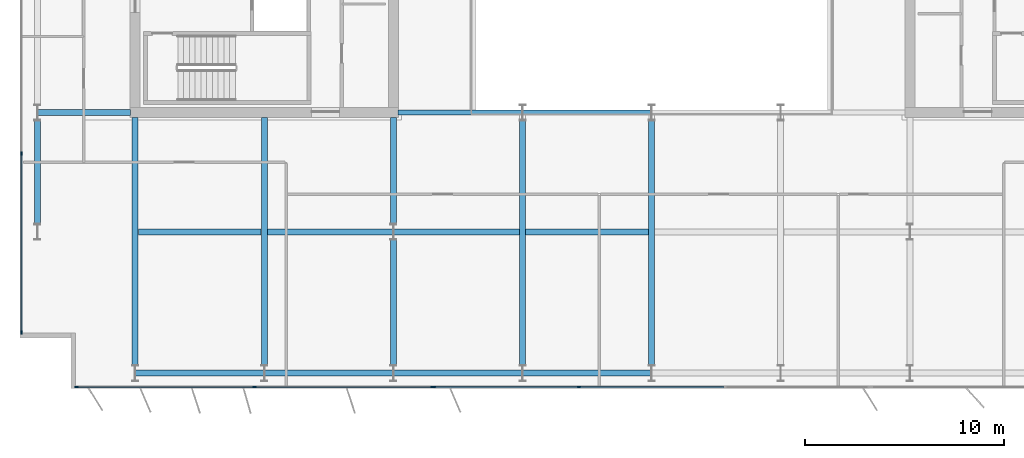
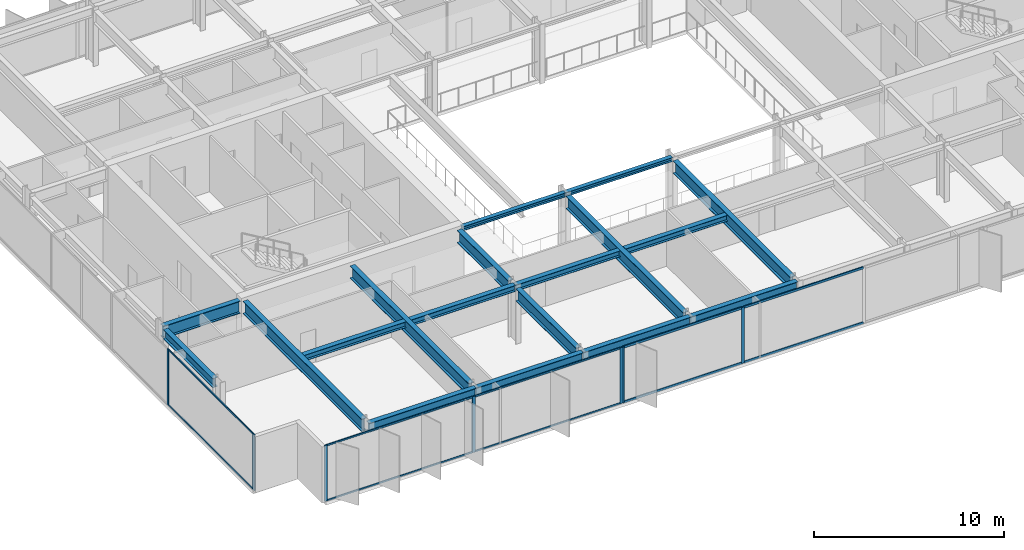
# One storey, part 3 of 19: 18 beams, 17 members, 3 elements without a shape of their own.
"""IFC4 building model written with IfcOpenShell, lengths in metres."""

from ifc_helpers import new_model, si_unit, direction, frame, origin, origin_2d, place, context, subcontext, project, spatial, rectangle, i_section, extrude, material, layer, layer_set, material_profile, profile_set, type_object, element, aggregate, save


model = new_model("IFC4")

# Units and contexts
model_context = context("Model", 3, precision=1e-05, world=origin(), true_north=direction((0.0, 1.0)))
body_context = subcontext(model_context, "Body", "Model", "MODEL_VIEW")
ifc_project = project(units=[si_unit("LENGTHUNIT", "METRE"), si_unit("AREAUNIT", "SQUARE_METRE"), si_unit("VOLUMEUNIT", "CUBIC_METRE"), si_unit("PLANEANGLEUNIT", "RADIAN"), si_unit("MASSUNIT", "GRAM", prefix="KILO")], contexts=[model_context])

# Site, building, storey
site_placement = place(None, origin())
site = spatial("IfcSite", under=ifc_project, at=site_placement, CompositionType="ELEMENT")
building_placement = place(site_placement, origin())
building = spatial("IfcBuilding", under=site, at=building_placement, Name="Putna Gate Headquarters", CompositionType="ELEMENT")
storey_placement = place(building_placement, frame((0.0, 0.0, 255.60009765625)))
storey = spatial("IfcBuildingStorey", under=building, at=storey_placement, Name="L64", CompositionType="ELEMENT", Elevation=255.60009765625)

# Beams
ifc_material_1 = material(Name="Steel S355J2", Category="steel")
ifc_material_profile_1 = material_profile(ifc_material_1, i_section(OverallWidth=0.260009765625, OverallDepth=0.260009765625, WebThickness=0.010009765625, FlangeThickness=0.017578125, at=origin_2d()), Name="Steel S355J2")
ifc_profile_set_1 = profile_set([ifc_material_profile_1], Name="Steel S355J2")
beam_type_1 = type_object("IfcBeamType", Name="BM-ATRIUM-HEB260", PredefinedType="BEAM", material=ifc_profile_set_1)
beam_1_placement = place(storey_placement, frame((26.235107421875, 19.0, 3.4580078125), z_axis=(1.0, 0.0, 0.0), x_axis=(0.0, 1.0, 0.0)))
element("IfcBeam", 1, at=beam_1_placement, inside=storey, type_object=beam_type_1, Name="L64 Atrium Edge Beam AS1", PredefinedType="BEAM", context=body_context, shape_type="SweptSolid", body=[
    extrude(i_section(OverallWidth=0.260009765625, OverallDepth=0.260009765625, WebThickness=0.010009765625, FlangeThickness=0.017578125, at=origin_2d()), origin(), (0.0, 0.0, 1.0), 6.2587890625),
])
beam_2_placement = place(storey_placement, frame((32.506103515625, 19.0, 3.4580078125), z_axis=(1.0, 0.0, 0.0), x_axis=(0.0, 1.0, 0.0)))
element("IfcBeam", 2, at=beam_2_placement, inside=storey, type_object=beam_type_1, Name="L64 Atrium Edge Beam AS2", PredefinedType="BEAM", context=body_context, shape_type="SweptSolid", body=[
    extrude(i_section(OverallWidth=0.260009765625, OverallDepth=0.260009765625, WebThickness=0.010009765625, FlangeThickness=0.017578125, at=origin_2d()), origin(), (0.0, 0.0, 1.0), 6.48779296875),
])
ifc_material_profile_2 = material_profile(ifc_material_1, i_section(OverallWidth=0.300048828125, OverallDepth=0.800048828125, WebThickness=0.017578125, FlangeThickness=0.032958984375, at=origin_2d()), Name="Steel S355J2")
ifc_profile_set_2 = profile_set([ifc_material_profile_2], Name="Steel S355J2")
beam_type_2 = type_object("IfcBeamType", Name="BM-GIRD-P-HEB800", PredefinedType="USERDEFINED", material=ifc_profile_set_2)
beam_3_placement = place(storey_placement, frame((8.0859375, 19.0, 3.18798828125), z_axis=(1.0, 0.0, 0.0), x_axis=(0.0, 1.0, 0.0)))
element("IfcBeam", 3, at=beam_3_placement, inside=storey, type_object=beam_type_2, Name="L64 West Wing Girder Y19", ObjectType="GIRDER", PredefinedType="USERDEFINED", context=body_context, shape_type="SweptSolid", body=[
    extrude(i_section(OverallWidth=0.300048828125, OverallDepth=0.800048828125, WebThickness=0.017578125, FlangeThickness=0.032958984375, at=origin_2d()), origin(), (0.0, 0.0, 1.0), 4.678955078125),
])
for number, where, z_axis, x_axis, name in (
    (4, (13.0, 6.27490234375, 3.18798828125), (0.0, 1.0, 0.0), (-1.0, 0.0, 0.0), "L64 South Primary Girder X13"),
    (5, (19.5, 6.27490234375, 3.18798828125), (0.0, 1.0, 0.0), (-1.0, 0.0, 0.0), "L64 South Primary Girder X19"),
):
    element("IfcBeam", number, at=place(storey_placement, frame(where, z_axis=z_axis, x_axis=x_axis)), inside=storey, type_object=beam_type_2, Name=name, ObjectType="GIRDER", PredefinedType="USERDEFINED", context=body_context, shape_type="SweptSolid", body=[
        extrude(i_section(OverallWidth=0.300048828125, OverallDepth=0.800048828125, WebThickness=0.017578125, FlangeThickness=0.032958984375, at=origin_2d()), origin(), (0.0, 0.0, 1.0), 12.489990234375),
    ])
beam_4_placement = place(storey_placement, frame((26.0, 6.27490234375, 3.18798828125), z_axis=(0.0, 1.0, 0.0), x_axis=(-1.0, 0.0, 0.0)))
element("IfcBeam", 6, at=beam_4_placement, inside=storey, type_object=beam_type_2, Name="L64 South Primary Girder X26-1", ObjectType="GIRDER", PredefinedType="USERDEFINED", context=body_context, shape_type="SweptSolid", body=[
    extrude(i_section(OverallWidth=0.300048828125, OverallDepth=0.800048828125, WebThickness=0.017578125, FlangeThickness=0.032958984375, at=origin_2d()), origin(), (0.0, 0.0, 1.0), 6.330078125),
])
beam_5_placement = place(storey_placement, frame((26.0, 13.39501953125, 3.18798828125), z_axis=(0.0, 1.0, 0.0), x_axis=(-1.0, 0.0, 0.0)))
element("IfcBeam", 7, at=beam_5_placement, inside=storey, type_object=beam_type_2, Name="L64 South Primary Girder X26-2", ObjectType="GIRDER", PredefinedType="USERDEFINED", context=body_context, shape_type="SweptSolid", body=[
    extrude(i_section(OverallWidth=0.300048828125, OverallDepth=0.800048828125, WebThickness=0.017578125, FlangeThickness=0.032958984375, at=origin_2d()), origin(), (0.0, 0.0, 1.0), 5.369873046875),
])
for number, where, z_axis, x_axis, name in (
    (8, (32.5, 6.27490234375, 3.18798828125), (0.0, 1.0, 0.0), (-1.0, 0.0, 0.0), "L64 South Primary Girder X32"),
    (9, (39.0, 6.27490234375, 3.18798828125), (0.0, 1.0, 0.0), (-1.0, 0.0, 0.0), "L64 South Primary Girder X39"),
):
    element("IfcBeam", number, at=place(storey_placement, frame(where, z_axis=z_axis, x_axis=x_axis)), inside=storey, type_object=beam_type_2, Name=name, ObjectType="GIRDER", PredefinedType="USERDEFINED", context=body_context, shape_type="SweptSolid", body=[
        extrude(i_section(OverallWidth=0.300048828125, OverallDepth=0.800048828125, WebThickness=0.017578125, FlangeThickness=0.032958984375, at=origin_2d()), origin(), (0.0, 0.0, 1.0), 12.330078125),
    ])
ifc_material_profile_3 = material_profile(ifc_material_1, i_section(OverallWidth=0.300048828125, OverallDepth=0.389892578125, WebThickness=0.010986328125, FlangeThickness=0.01904296875, at=origin_2d()), Name="Steel S355J2")
ifc_profile_set_3 = profile_set([ifc_material_profile_3], Name="Steel S355J2")
beam_type_3 = type_object("IfcBeamType", Name="BM-SEC-Z5-HEA400", PredefinedType="BEAM", material=ifc_profile_set_3)
beam_6_placement = place(storey_placement, frame((13.154052734375, 13.0, 3.392822265625), z_axis=(1.0, 0.0, 0.0), x_axis=(0.0, 1.0, 0.0)))
element("IfcBeam", 10, at=beam_6_placement, inside=storey, type_object=beam_type_3, Name="L64 South Secondary Beam 1", PredefinedType="BEAM", context=body_context, shape_type="SweptSolid", body=[
    extrude(i_section(OverallWidth=0.300048828125, OverallDepth=0.389892578125, WebThickness=0.010986328125, FlangeThickness=0.01904296875, at=origin_2d()), origin(), (0.0, 0.0, 1.0), 6.19189453125),
])
for number, where, z_axis, x_axis, name in (
    (11, (19.654052734375, 13.0, 3.392822265625), (1.0, 0.0, 0.0), (0.0, 1.0, 0.0), "L64 South Secondary Beam 2"),
    (12, (26.006103515625, 13.0, 3.392822265625), (1.0, 0.0, 0.0), (0.0, 1.0, 0.0), "L64 South Secondary Beam 3"),
):
    element("IfcBeam", number, at=place(storey_placement, frame(where, z_axis=z_axis, x_axis=x_axis)), inside=storey, type_object=beam_type_3, Name=name, PredefinedType="BEAM", context=body_context, shape_type="SweptSolid", body=[
        extrude(i_section(OverallWidth=0.300048828125, OverallDepth=0.389892578125, WebThickness=0.010986328125, FlangeThickness=0.01904296875, at=origin_2d()), origin(), (0.0, 0.0, 1.0), 6.33984375),
    ])
beam_7_placement = place(storey_placement, frame((32.654052734375, 13.0, 3.392822265625), z_axis=(1.0, 0.0, 0.0), x_axis=(0.0, 1.0, 0.0)))
element("IfcBeam", 13, at=beam_7_placement, inside=storey, type_object=beam_type_3, Name="L64 South Secondary Beam 4", PredefinedType="BEAM", context=body_context, shape_type="SweptSolid", body=[
    extrude(i_section(OverallWidth=0.300048828125, OverallDepth=0.389892578125, WebThickness=0.010986328125, FlangeThickness=0.01904296875, at=origin_2d()), origin(), (0.0, 0.0, 1.0), 6.19189453125),
])
ifc_material_profile_4 = material_profile(ifc_material_1, i_section(OverallWidth=0.300048828125, OverallDepth=0.590087890625, WebThickness=0.012939453125, FlangeThickness=0.02490234375, at=origin_2d()), Name="Steel S355J2")
ifc_profile_set_4 = profile_set([ifc_material_profile_4], Name="Steel S355J2")
beam_type_4 = type_object("IfcBeamType", Name="BM-SPAN-Z4-HEA600", PredefinedType="SPANDREL", material=ifc_profile_set_4)
for number, where, z_axis, x_axis, name in (
    (14, (13.006103515625, 5.8798828125, 3.29296875), (1.0, 0.0, 0.0), (0.0, 1.0, 0.0), "L64 S Perimeter Spandrel 1"),
    (15, (19.506103515625, 5.8798828125, 3.29296875), (1.0, 0.0, 0.0), (0.0, 1.0, 0.0), "L64 S Perimeter Spandrel 2"),
    (16, (26.006103515625, 5.8798828125, 3.29296875), (1.0, 0.0, 0.0), (0.0, 1.0, 0.0), "L64 S Perimeter Spandrel 3"),
    (17, (32.506103515625, 5.8798828125, 3.29296875), (1.0, 0.0, 0.0), (0.0, 1.0, 0.0), "L64 S Perimeter Spandrel 4"),
):
    element("IfcBeam", number, at=place(storey_placement, frame(where, z_axis=z_axis, x_axis=x_axis)), inside=storey, type_object=beam_type_4, Name=name, PredefinedType="SPANDREL", context=body_context, shape_type="SweptSolid", body=[
        extrude(i_section(OverallWidth=0.300048828125, OverallDepth=0.590087890625, WebThickness=0.012939453125, FlangeThickness=0.02490234375, at=origin_2d()), origin(), (0.0, 0.0, 1.0), 6.48779296875),
    ])
beam_8_placement = place(storey_placement, frame((8.080078125, 13.39501953125, 3.29296875), z_axis=(0.0, 1.0, 0.0), x_axis=(-1.0, 0.0, 0.0)))
element("IfcBeam", 18, at=beam_8_placement, inside=storey, type_object=beam_type_4, Name="L64 W End Spandrel 1", PredefinedType="SPANDREL", context=body_context, shape_type="SweptSolid", body=[
    extrude(i_section(OverallWidth=0.300048828125, OverallDepth=0.590087890625, WebThickness=0.012939453125, FlangeThickness=0.02490234375, at=origin_2d()), origin(), (0.0, 0.0, 1.0), 5.2099609375),
])

# Curtain wall, members
ifc_material_2 = material(Name="Anodised bronze aluminium curtain wall", Category="aluminium")
ifc_layer_1 = layer(ifc_material_2, 0.179931640625)
ifc_layer_set_1 = layer_set([ifc_layer_1], Name="Anodised bronze aluminium curtain wall")
curtain_wall_type_1 = type_object("IfcCurtainWallType", Name="CW-SYS-Z5", PredefinedType="USERDEFINED", material=ifc_layer_set_1)
curtain_wall_1_placement = place(storey_placement, origin())
curtain_wall_1 = element("IfcCurtainWall", 19, at=curtain_wall_1_placement, inside=storey, type_object=curtain_wall_type_1, Name="L64 South West Curtain Wall", ObjectType="STICK CURTAIN WALL", PredefinedType="USERDEFINED")
ifc_material_3 = material(Name="Anodised bronze aluminium EN AW-6060", Category="aluminium")
ifc_material_profile_5 = material_profile(ifc_material_3, rectangle(XDim=0.070068359375, YDim=0.179931640625, at=origin_2d()), Name="Anodised bronze aluminium EN AW-6060")
ifc_profile_set_5 = profile_set([ifc_material_profile_5], Name="Anodised bronze aluminium EN AW-6060")
member_type_1 = type_object("IfcMemberType", Name="MULL-CWM-5", PredefinedType="MULLION", material=ifc_profile_set_5)
member_1_placement = place(storey_placement, frame((10.034912109375, 5.179931640625, 0.0), z_axis=(0.0, 0.0, 1.0), x_axis=(0.0, 1.0, 0.0)))
member_1 = element("IfcMember", 20, at=member_1_placement, type_object=member_type_1, Name="CWS-5 mullion 1", PredefinedType="MULLION", context=body_context, shape_type="SweptSolid", body=[
    extrude(rectangle(XDim=0.070068359375, YDim=0.179931640625, at=origin_2d()), origin(), (0.0, 0.0, 1.0), 3.587890625),
])
member_2_placement = place(storey_placement, frame((19.0, 5.179931640625, 0.0), z_axis=(0.0, 0.0, 1.0), x_axis=(0.0, 1.0, 0.0)))
member_2 = element("IfcMember", 21, at=member_2_placement, type_object=member_type_1, Name="CWS-5 mullion 2", PredefinedType="MULLION", context=body_context, shape_type="SweptSolid", body=[
    extrude(rectangle(XDim=0.070068359375, YDim=0.179931640625, at=origin_2d()), origin(), (0.0, 0.0, 1.0), 3.587890625),
])
member_3_placement = place(storey_placement, frame((27.965087890625, 5.179931640625, 0.0), z_axis=(0.0, 0.0, 1.0), x_axis=(0.0, 1.0, 0.0)))
member_3 = element("IfcMember", 22, at=member_3_placement, type_object=member_type_1, Name="CWS-5 mullion 3", PredefinedType="MULLION", context=body_context, shape_type="SweptSolid", body=[
    extrude(rectangle(XDim=0.070068359375, YDim=0.179931640625, at=origin_2d()), origin(), (0.0, 0.0, 1.0), 3.587890625),
])

curtain_wall_2_placement = place(storey_placement, origin())
curtain_wall_2 = element("IfcCurtainWall", 23, at=curtain_wall_2_placement, inside=storey, type_object=curtain_wall_type_1, Name="L64 West Curtain Wall", ObjectType="STICK CURTAIN WALL", PredefinedType="USERDEFINED")
member_4_placement = place(storey_placement, frame((7.280029296875, 7.93505859375, 0.0), z_axis=(0.0, 0.0, 1.0), x_axis=(-1.0, 0.0, 0.0)))
member_4 = element("IfcMember", 24, at=member_4_placement, type_object=member_type_1, Name="CWS-5 mullion 1", PredefinedType="MULLION", context=body_context, shape_type="SweptSolid", body=[
    extrude(rectangle(XDim=0.070068359375, YDim=0.179931640625, at=origin_2d()), origin(), (0.0, 0.0, 1.0), 3.587890625),
])
member_5_placement = place(storey_placement, frame((7.280029296875, 16.949951171875, 0.0), z_axis=(0.0, 0.0, 1.0), x_axis=(-1.0, 0.0, 0.0)))
member_5 = element("IfcMember", 25, at=member_5_placement, type_object=member_type_1, Name="CWS-5 mullion 2", PredefinedType="MULLION", context=body_context, shape_type="SweptSolid", body=[
    extrude(rectangle(XDim=0.070068359375, YDim=0.179931640625, at=origin_2d()), origin(), (0.0, 0.0, 1.0), 3.587890625),
])

ifc_layer_2 = layer(ifc_material_2, 0.179931640625)
ifc_layer_set_2 = layer_set([ifc_layer_2], Name="Anodised bronze aluminium curtain wall")
curtain_wall_type_2 = type_object("IfcCurtainWallType", Name="CW-SYS-ATR", PredefinedType="USERDEFINED", material=ifc_layer_set_2)
curtain_wall_3_placement = place(storey_placement, origin())
curtain_wall_3 = element("IfcCurtainWall", 26, at=curtain_wall_3_placement, inside=storey, type_object=curtain_wall_type_2, Name="L64 South Atrium Clear Glazing", ObjectType="ATRIUM GLAZING", PredefinedType="USERDEFINED")
ifc_material_profile_6 = material_profile(ifc_material_3, rectangle(XDim=0.070068359375, YDim=0.179931640625, at=origin_2d()), Name="Anodised bronze aluminium EN AW-6060")
ifc_profile_set_6 = profile_set([ifc_material_profile_6], Name="Anodised bronze aluminium EN AW-6060")
member_type_2 = type_object("IfcMemberType", Name="MULL-CWM-AT", PredefinedType="MULLION", material=ifc_profile_set_6)
member_6_placement = place(storey_placement, frame((28.034912109375, 5.179931640625, 0.0), z_axis=(0.0, 0.0, 1.0), x_axis=(0.0, 1.0, 0.0)))
member_6 = element("IfcMember", 27, at=member_6_placement, type_object=member_type_2, Name="CWS-AT mullion 1", PredefinedType="MULLION", context=body_context, shape_type="SweptSolid", body=[
    extrude(rectangle(XDim=0.070068359375, YDim=0.179931640625, at=origin_2d()), origin(), (0.0, 0.0, 1.0), 3.587890625),
])
member_7_placement = place(storey_placement, frame((35.333251953125, 5.179931640625, 0.0), z_axis=(0.0, 0.0, 1.0), x_axis=(0.0, 1.0, 0.0)))
member_7 = element("IfcMember", 28, at=member_7_placement, type_object=member_type_2, Name="CWS-AT mullion 2", PredefinedType="MULLION", context=body_context, shape_type="SweptSolid", body=[
    extrude(rectangle(XDim=0.070068359375, YDim=0.179931640625, at=origin_2d()), origin(), (0.0, 0.0, 1.0), 3.587890625),
])

# Member
ifc_material_profile_7 = material_profile(ifc_material_3, rectangle(XDim=0.06005859375, YDim=0.10009765625, at=origin_2d()), Name="Anodised bronze aluminium EN AW-6060")
ifc_profile_set_7 = profile_set([ifc_material_profile_7], Name="Anodised bronze aluminium EN AW-6060")
member_type_3 = type_object("IfcMemberType", Name="TRAN-CWT-5", PredefinedType="USERDEFINED", material=ifc_profile_set_7)
member_8_placement = place(storey_placement, frame((10.070068359375, 5.179931640625, 0.02978515625), z_axis=(1.0, 0.0, 0.0), x_axis=(0.0, 1.0, 0.0)))
member_8 = element("IfcMember", 29, at=member_8_placement, type_object=member_type_3, Name="CWS-5 transom 1.1", ObjectType="TRANSOM", PredefinedType="USERDEFINED", context=body_context, shape_type="SweptSolid", body=[
    extrude(rectangle(XDim=0.06005859375, YDim=0.10009765625, at=origin_2d()), origin(), (0.0, 0.0, 1.0), 8.89501953125),
])

member_9_placement = place(storey_placement, frame((10.070068359375, 5.179931640625, 3.557861328125), z_axis=(1.0, 0.0, 0.0), x_axis=(0.0, 1.0, 0.0)))
member_9 = element("IfcMember", 30, at=member_9_placement, type_object=member_type_3, Name="CWS-5 transom 1.2", ObjectType="TRANSOM", PredefinedType="USERDEFINED", context=body_context, shape_type="SweptSolid", body=[
    extrude(rectangle(XDim=0.06005859375, YDim=0.10009765625, at=origin_2d()), origin(), (0.0, 0.0, 1.0), 8.89501953125),
])

member_10_placement = place(storey_placement, frame((19.034912109375, 5.179931640625, 0.02978515625), z_axis=(1.0, 0.0, 0.0), x_axis=(0.0, 1.0, 0.0)))
member_10 = element("IfcMember", 31, at=member_10_placement, type_object=member_type_3, Name="CWS-5 transom 2.1", ObjectType="TRANSOM", PredefinedType="USERDEFINED", context=body_context, shape_type="SweptSolid", body=[
    extrude(rectangle(XDim=0.06005859375, YDim=0.10009765625, at=origin_2d()), origin(), (0.0, 0.0, 1.0), 8.89501953125),
])

member_11_placement = place(storey_placement, frame((19.034912109375, 5.179931640625, 3.557861328125), z_axis=(1.0, 0.0, 0.0), x_axis=(0.0, 1.0, 0.0)))
member_11 = element("IfcMember", 32, at=member_11_placement, type_object=member_type_3, Name="CWS-5 transom 2.2", ObjectType="TRANSOM", PredefinedType="USERDEFINED", context=body_context, shape_type="SweptSolid", body=[
    extrude(rectangle(XDim=0.06005859375, YDim=0.10009765625, at=origin_2d()), origin(), (0.0, 0.0, 1.0), 8.89501953125),
])

aggregate(curtain_wall_1, [member_1, member_2, member_3, member_8, member_9, member_10, member_11])

member_12_placement = place(storey_placement, frame((7.280029296875, 7.969970703125, 0.02978515625), z_axis=(0.0, 1.0, 0.0), x_axis=(-1.0, 0.0, 0.0)))
member_12 = element("IfcMember", 33, at=member_12_placement, type_object=member_type_3, Name="CWS-5 transom 1.1", ObjectType="TRANSOM", PredefinedType="USERDEFINED", context=body_context, shape_type="SweptSolid", body=[
    extrude(rectangle(XDim=0.06005859375, YDim=0.10009765625, at=origin_2d()), origin(), (0.0, 0.0, 1.0), 8.945068359375),
])

member_13_placement = place(storey_placement, frame((7.280029296875, 7.969970703125, 3.557861328125), z_axis=(0.0, 1.0, 0.0), x_axis=(-1.0, 0.0, 0.0)))
member_13 = element("IfcMember", 34, at=member_13_placement, type_object=member_type_3, Name="CWS-5 transom 1.2", ObjectType="TRANSOM", PredefinedType="USERDEFINED", context=body_context, shape_type="SweptSolid", body=[
    extrude(rectangle(XDim=0.06005859375, YDim=0.10009765625, at=origin_2d()), origin(), (0.0, 0.0, 1.0), 8.945068359375),
])

aggregate(curtain_wall_2, [member_4, member_5, member_12, member_13])

ifc_material_profile_8 = material_profile(ifc_material_3, rectangle(XDim=0.070068359375, YDim=0.139892578125, at=origin_2d()), Name="Anodised bronze aluminium EN AW-6060")
ifc_profile_set_8 = profile_set([ifc_material_profile_8], Name="Anodised bronze aluminium EN AW-6060")
member_type_4 = type_object("IfcMemberType", Name="TRAN-CWT-AT", PredefinedType="USERDEFINED", material=ifc_profile_set_8)
member_14_placement = place(storey_placement, frame((28.070068359375, 5.179931640625, 0.034912109375), z_axis=(1.0, 0.0, 0.0), x_axis=(0.0, 1.0, 0.0)))
member_14 = element("IfcMember", 35, at=member_14_placement, type_object=member_type_4, Name="CWS-AT transom 1.1", ObjectType="TRANSOM", PredefinedType="USERDEFINED", context=body_context, shape_type="SweptSolid", body=[
    extrude(rectangle(XDim=0.070068359375, YDim=0.139892578125, at=origin_2d()), origin(), (0.0, 0.0, 1.0), 7.228271484375),
])

member_15_placement = place(storey_placement, frame((28.070068359375, 5.179931640625, 3.552978515625), z_axis=(1.0, 0.0, 0.0), x_axis=(0.0, 1.0, 0.0)))
member_15 = element("IfcMember", 36, at=member_15_placement, type_object=member_type_4, Name="CWS-AT transom 1.2", ObjectType="TRANSOM", PredefinedType="USERDEFINED", context=body_context, shape_type="SweptSolid", body=[
    extrude(rectangle(XDim=0.070068359375, YDim=0.139892578125, at=origin_2d()), origin(), (0.0, 0.0, 1.0), 7.228271484375),
])

member_16_placement = place(storey_placement, frame((35.368408203125, 5.179931640625, 0.034912109375), z_axis=(1.0, 0.0, 0.0), x_axis=(0.0, 1.0, 0.0)))
member_16 = element("IfcMember", 37, at=member_16_placement, type_object=member_type_4, Name="CWS-AT transom 2.1", ObjectType="TRANSOM", PredefinedType="USERDEFINED", context=body_context, shape_type="SweptSolid", body=[
    extrude(rectangle(XDim=0.070068359375, YDim=0.139892578125, at=origin_2d()), origin(), (0.0, 0.0, 1.0), 7.26318359375),
])

member_17_placement = place(storey_placement, frame((35.368408203125, 5.179931640625, 3.552978515625), z_axis=(1.0, 0.0, 0.0), x_axis=(0.0, 1.0, 0.0)))
member_17 = element("IfcMember", 38, at=member_17_placement, type_object=member_type_4, Name="CWS-AT transom 2.2", ObjectType="TRANSOM", PredefinedType="USERDEFINED", context=body_context, shape_type="SweptSolid", body=[
    extrude(rectangle(XDim=0.070068359375, YDim=0.139892578125, at=origin_2d()), origin(), (0.0, 0.0, 1.0), 7.26318359375),
])

aggregate(curtain_wall_3, [member_6, member_7, member_14, member_15, member_16, member_17])

save(model, "model.ifc")
